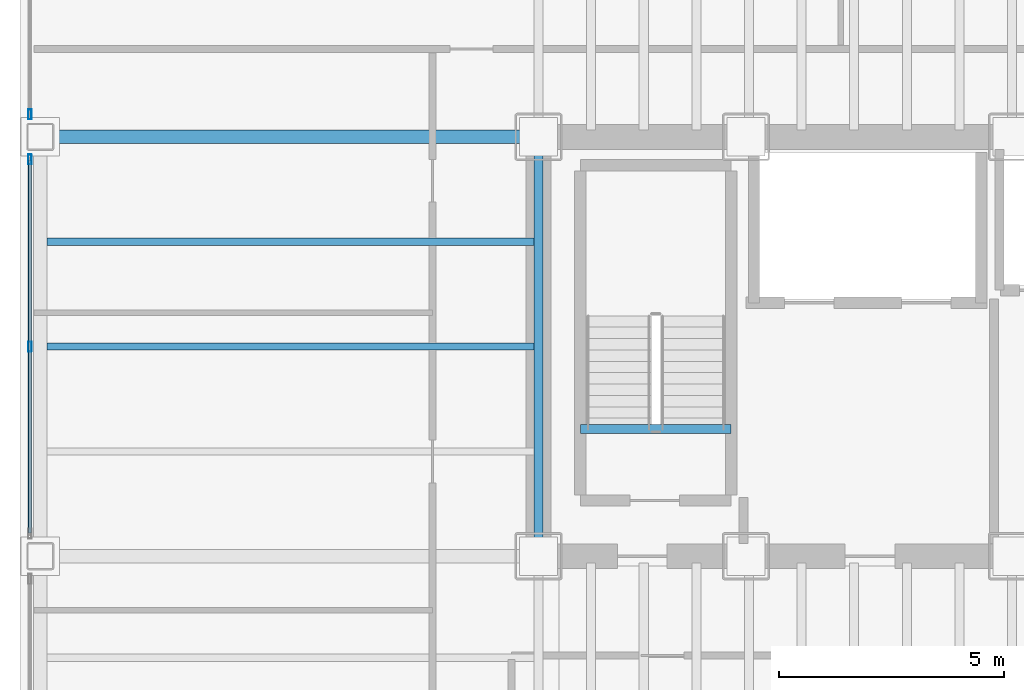
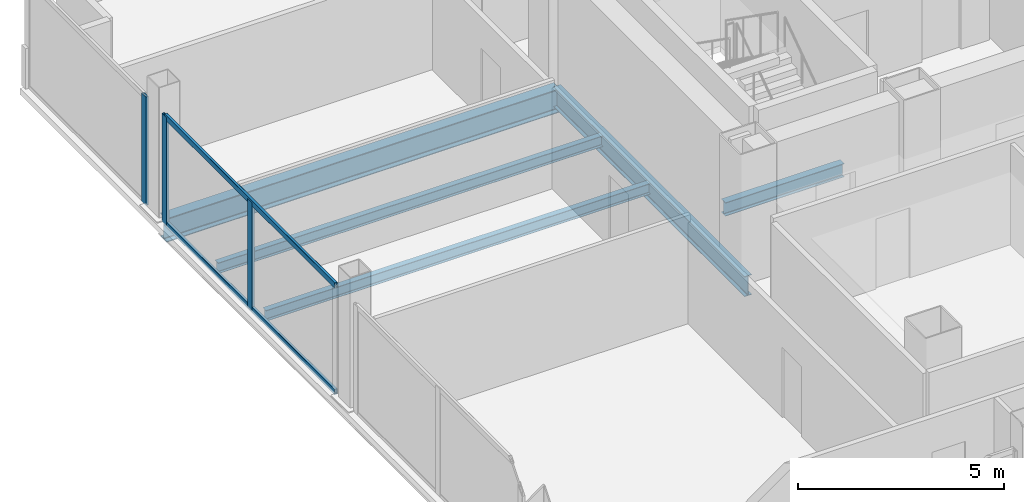
# One storey, part 6 of 21: 5 beams, 5 members, 2 elements without a shape of their own.
"""IFC4 building model written with IfcOpenShell, lengths in metres."""

from ifc_helpers import new_model, si_unit, direction, frame, origin, origin_2d, place, context, subcontext, project, spatial, hollow_rectangle, i_section, extrude, material, material_profile, profile_set, type_object, element, aggregate, save


model = new_model("IFC4")

# Units and contexts
model_context = context("Model", 3, precision=1e-05, world=origin(), true_north=direction((0.0, 1.0)))
body_context = subcontext(model_context, "Body", "Model", "MODEL_VIEW")
ifc_project = project(units=[si_unit("LENGTHUNIT", "METRE"), si_unit("AREAUNIT", "SQUARE_METRE"), si_unit("VOLUMEUNIT", "CUBIC_METRE"), si_unit("PLANEANGLEUNIT", "RADIAN"), si_unit("MASSUNIT", "GRAM", prefix="KILO")], contexts=[model_context])

# Site, building, storey
site_placement = place(None, origin())
site = spatial("IfcSite", under=ifc_project, at=site_placement, CompositionType="ELEMENT")
building_placement = place(site_placement, origin())
building = spatial("IfcBuilding", under=site, at=building_placement, Name="Noeulbin Bourse Tower", CompositionType="ELEMENT")
storey_placement = place(building_placement, frame((0.0, 0.0, 38.199951171875)))
storey = spatial("IfcBuildingStorey", under=building, at=storey_placement, Name="L09", CompositionType="ELEMENT", Elevation=38.199951171875)

# Beams
ifc_material_1 = material(Name="Steel S355", Category="steel")
ifc_material_profile_1 = material_profile(ifc_material_1, i_section(OverallWidth=0.199951171875, OverallDepth=0.60009765625, WebThickness=0.010986328125, FlangeThickness=0.01708984375, FilletRadius=0.02197265625, at=origin_2d()), Name="H-600x200x11x17", Category="LoadBearing")
ifc_profile_set_1 = profile_set([ifc_material_profile_1], Name="Steel S355")
beam_type_1 = type_object("IfcBeamType", Name="BM-GRD-600", PredefinedType="USERDEFINED", material=ifc_profile_set_1)
beam_1_placement = place(storey_placement, frame((13.5, 29.0, -0.47998046875), z_axis=(0.0, 1.0, 0.0), x_axis=(-1.0, 0.0, 0.0)))
element("IfcBeam", 1, at=beam_1_placement, inside=storey, type_object=beam_type_1, Name="Tower Primary Girder NS L09-1.3", ObjectType="GIRDER", PredefinedType="USERDEFINED", context=body_context, shape_type="SweptSolid", body=[
    extrude(i_section(OverallWidth=0.199951171875, OverallDepth=0.60009765625, WebThickness=0.010986328125, FlangeThickness=0.01708984375, FilletRadius=0.02197265625, at=origin_2d()), origin(), (0.0, 0.0, 1.0), 9.300048828125),
])
ifc_material_profile_2 = material_profile(ifc_material_1, i_section(OverallWidth=0.300048828125, OverallDepth=0.699951171875, WebThickness=0.012939453125, FlangeThickness=0.02392578125, FilletRadius=0.02392578125, at=origin_2d()), Name="H-700x300x13x24", Category="LoadBearing")
ifc_profile_set_2 = profile_set([ifc_material_profile_2], Name="Steel S355")
beam_type_2 = type_object("IfcBeamType", Name="BM-GRD-700", PredefinedType="USERDEFINED", material=ifc_profile_set_2)
beam_2_placement = place(storey_placement, frame((2.449951171875, 38.300048828125, -0.530029296875), z_axis=(1.0, 0.0, 0.0), x_axis=(0.0, 1.0, 0.0)))
element("IfcBeam", 2, at=beam_2_placement, inside=storey, type_object=beam_type_2, Name="Tower Primary Girder EW L09-3.1", ObjectType="GIRDER", PredefinedType="USERDEFINED", context=body_context, shape_type="SweptSolid", body=[
    extrude(i_section(OverallWidth=0.300048828125, OverallDepth=0.699951171875, WebThickness=0.012939453125, FlangeThickness=0.02392578125, FilletRadius=0.02392578125, at=origin_2d()), origin(), (0.0, 0.0, 1.0), 11.050048828125),
])
ifc_material_profile_3 = material_profile(ifc_material_1, i_section(OverallWidth=0.159912109375, OverallDepth=0.320068359375, WebThickness=0.006591796875, FlangeThickness=0.010009765625, FilletRadius=0.012939453125, at=origin_2d()), Name="H-320x160x6.5x10", Category="LoadBearing")
ifc_profile_set_3 = profile_set([ifc_material_profile_3], Name="Steel S355")
beam_type_3 = type_object("IfcBeamType", Name="BM-JST-320", PredefinedType="JOIST", material=ifc_profile_set_3)
for number, where, z_axis, x_axis, name in (
    (3, (2.60009765625, 33.64990234375, -0.33984375), (1.0, 0.0, 0.0), (0.0, 1.0, 0.0), "Wing Composite Joist L09-W74"),
    (4, (2.60009765625, 35.97509765625, -0.33984375), (1.0, 0.0, 0.0), (0.0, 1.0, 0.0), "Wing Composite Joist L09-W75"),
):
    element("IfcBeam", number, at=place(storey_placement, frame(where, z_axis=z_axis, x_axis=x_axis)), inside=storey, type_object=beam_type_3, Name=name, PredefinedType="JOIST", context=body_context, shape_type="SweptSolid", body=[
        extrude(i_section(OverallWidth=0.159912109375, OverallDepth=0.320068359375, WebThickness=0.006591796875, FlangeThickness=0.010009765625, FilletRadius=0.012939453125, at=origin_2d()), origin(), (0.0, 0.0, 1.0), 10.7998046875),
    ])
ifc_material_profile_4 = material_profile(ifc_material_1, i_section(OverallWidth=0.199951171875, OverallDepth=0.39990234375, WebThickness=0.008056640625, FlangeThickness=0.012939453125, FilletRadius=0.01611328125, at=origin_2d()), Name="H-400x200x8x13", Category="LoadBearing")
ifc_profile_set_4 = profile_set([ifc_material_profile_4], Name="Steel S355")
beam_type_4 = type_object("IfcBeamType", Name="BM-SEC-400", PredefinedType="BEAM", material=ifc_profile_set_4)
beam_3_placement = place(storey_placement, frame((14.429931640625, 31.820068359375, -0.199951171875), z_axis=(1.0, 0.0, 0.0), x_axis=(0.0, 1.0, 0.0)))
element("IfcBeam", 5, at=beam_3_placement, inside=storey, type_object=beam_type_4, Name="Stair Threshold Trimmer Beam ST1-L09", PredefinedType="BEAM", context=body_context, shape_type="SweptSolid", body=[
    extrude(i_section(OverallWidth=0.199951171875, OverallDepth=0.39990234375, WebThickness=0.008056640625, FlangeThickness=0.012939453125, FilletRadius=0.01611328125, at=origin_2d()), origin(), (0.0, 0.0, 1.0), 3.340087890625),
])

# Curtain wall, members
ifc_material_2 = material(Name="Dark Solar-Control Double Glazing", Category="glass")
curtain_wall_type = type_object("IfcCurtainWallType", Name="CW-SYS-2", PredefinedType="NOTDEFINED", material=ifc_material_2)
curtain_wall_1_placement = place(storey_placement, origin())
curtain_wall_1 = element("IfcCurtainWall", 6, at=curtain_wall_1_placement, inside=storey, type_object=curtain_wall_type, Name="Unitised Curtain Wall CW-L09-W-S3", PredefinedType="NOTDEFINED")
ifc_material_3 = material(Name="Anodised Aluminium 6063-T6", Category="aluminium")
ifc_material_profile_5 = material_profile(ifc_material_3, hollow_rectangle(XDim=0.074951171875, YDim=0.219970703125, WallThickness=0.0048828125, InnerFilletRadius=0.00244140625, OuterFilletRadius=0.0048828125, at=origin_2d()), Name="ALU-MULL-75x220x5", Category="LoadBearing")
ifc_profile_set_5 = profile_set([ifc_material_profile_5], Name="Anodised Aluminium 6063-T6")
member_type_1 = type_object("IfcMemberType", Name="CW-SYS-2-MUL", PredefinedType="MULLION", material=ifc_profile_set_5)
member_1_placement = place(storey_placement, frame((2.219970703125, 33.64990234375, -0.02001953125), z_axis=(0.0, 0.0, 1.0), x_axis=(1.0, 0.0, 0.0)))
member_1 = element("IfcMember", 7, at=member_1_placement, type_object=member_type_1, Name="Curtain Wall Mullion CW-L09-W-S3-M01", PredefinedType="MULLION", context=body_context, shape_type="SweptSolid", body=[
    extrude(hollow_rectangle(XDim=0.074951171875, YDim=0.219970703125, WallThickness=0.0048828125, InnerFilletRadius=0.00244140625, OuterFilletRadius=0.0048828125, at=origin_2d()), origin(), (0.0, 0.0, 1.0), 3.219970703125),
])
member_2_placement = place(storey_placement, frame((2.219970703125, 37.800048828125, -0.02001953125), z_axis=(0.0, 0.0, 1.0), x_axis=(1.0, 0.0, 0.0)))
member_2 = element("IfcMember", 8, at=member_2_placement, type_object=member_type_1, Name="Curtain Wall Mullion CW-L09-W-S3-M02", PredefinedType="MULLION", context=body_context, shape_type="SweptSolid", body=[
    extrude(hollow_rectangle(XDim=0.074951171875, YDim=0.219970703125, WallThickness=0.0048828125, InnerFilletRadius=0.00244140625, OuterFilletRadius=0.0048828125, at=origin_2d()), origin(), (0.0, 0.0, 1.0), 3.219970703125),
])

# Curtain wall, member
curtain_wall_2_placement = place(storey_placement, origin())
curtain_wall_2 = element("IfcCurtainWall", 9, at=curtain_wall_2_placement, inside=storey, type_object=curtain_wall_type, Name="Unitised Curtain Wall CW-L09-W-S4", PredefinedType="NOTDEFINED")
member_3_placement = place(storey_placement, frame((2.219970703125, 38.800048828125, -0.02001953125), z_axis=(0.0, 0.0, 1.0), x_axis=(1.0, 0.0, 0.0)))
member_3 = element("IfcMember", 10, at=member_3_placement, type_object=member_type_1, Name="Curtain Wall Mullion CW-L09-W-S4-M00", PredefinedType="MULLION", context=body_context, shape_type="SweptSolid", body=[
    extrude(hollow_rectangle(XDim=0.074951171875, YDim=0.219970703125, WallThickness=0.0048828125, InnerFilletRadius=0.00244140625, OuterFilletRadius=0.0048828125, at=origin_2d()), origin(), (0.0, 0.0, 1.0), 3.219970703125),
])
aggregate(curtain_wall_2, [member_3])

# Member
ifc_material_profile_6 = material_profile(ifc_material_3, hollow_rectangle(XDim=0.074951171875, YDim=0.159912109375, WallThickness=0.0048828125, InnerFilletRadius=0.00244140625, OuterFilletRadius=0.0048828125, at=origin_2d()), Name="ALU-TRAN-75x160x5", Category="LoadBearing")
ifc_profile_set_6 = profile_set([ifc_material_profile_6], Name="Anodised Aluminium 6063-T6")
member_type_2 = type_object("IfcMemberType", Name="CW-SYS-2-TRN", PredefinedType="USERDEFINED", material=ifc_profile_set_6)
member_4_placement = place(storey_placement, frame((2.219970703125, 29.510009765625, 0.010009765625), z_axis=(0.0, 1.0, 0.0), x_axis=(-1.0, 0.0, 0.0)))
member_4 = element("IfcMember", 11, at=member_4_placement, type_object=member_type_2, Name="Curtain Wall Transom CW-L09-W-S3-T00", ObjectType="TRANSOM", PredefinedType="USERDEFINED", context=body_context, shape_type="SweptSolid", body=[
    extrude(hollow_rectangle(XDim=0.074951171875, YDim=0.159912109375, WallThickness=0.0048828125, InnerFilletRadius=0.00244140625, OuterFilletRadius=0.0048828125, at=origin_2d()), origin(), (0.0, 0.0, 1.0), 8.280029296875),
])

member_5_placement = place(storey_placement, frame((2.219970703125, 29.510009765625, 3.170166015625), z_axis=(0.0, 1.0, 0.0), x_axis=(-1.0, 0.0, 0.0)))
member_5 = element("IfcMember", 12, at=member_5_placement, type_object=member_type_2, Name="Curtain Wall Transom CW-L09-W-S3-T01", ObjectType="TRANSOM", PredefinedType="USERDEFINED", context=body_context, shape_type="SweptSolid", body=[
    extrude(hollow_rectangle(XDim=0.074951171875, YDim=0.159912109375, WallThickness=0.0048828125, InnerFilletRadius=0.00244140625, OuterFilletRadius=0.0048828125, at=origin_2d()), origin(), (0.0, 0.0, 1.0), 8.280029296875),
])

aggregate(curtain_wall_1, [member_1, member_2, member_4, member_5])

save(model, "model.ifc")
